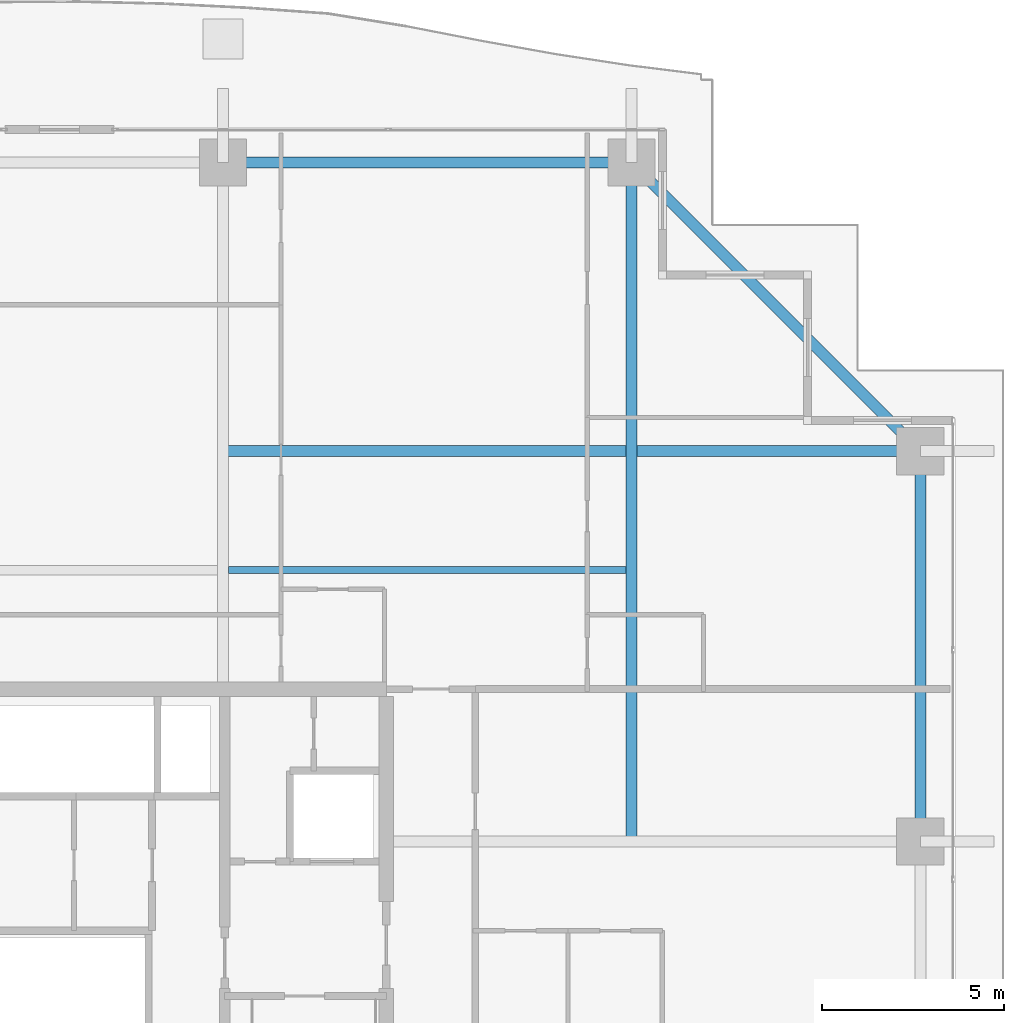
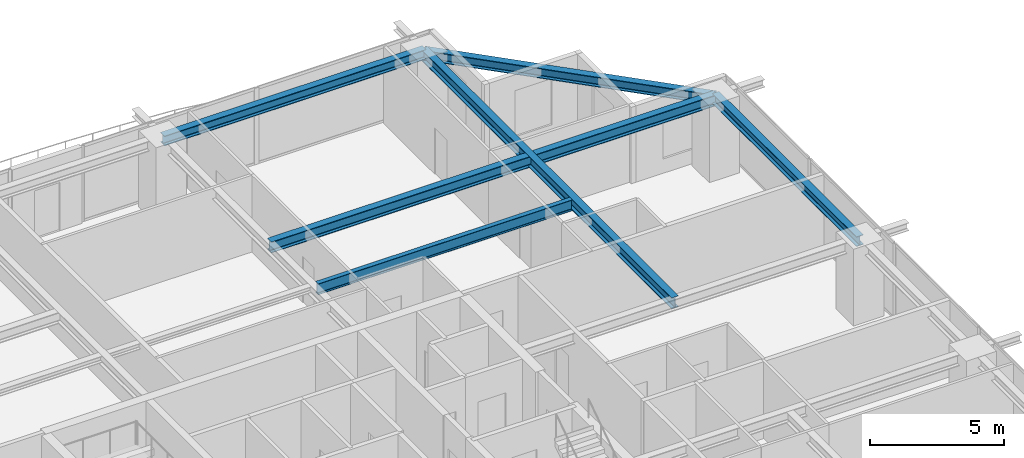
# One storey, part 23 of 37: 6 beams.
"""IFC4 building model written with IfcOpenShell, lengths in metres."""

from ifc_helpers import new_model, si_unit, direction, frame, origin, origin_2d, place, context, subcontext, project, spatial, i_section, extrude, source, transform, mapped, material, material_profile, profile_set, type_object, element, save


model = new_model("IFC4")

# Units and contexts
model_context = context("Model", 3, precision=1e-05, world=origin(), true_north=direction((0.0, 1.0)))
body_context = subcontext(model_context, "Body", "Model", "MODEL_VIEW")
ifc_project = project(units=[si_unit("LENGTHUNIT", "METRE"), si_unit("AREAUNIT", "SQUARE_METRE"), si_unit("VOLUMEUNIT", "CUBIC_METRE"), si_unit("PLANEANGLEUNIT", "RADIAN"), si_unit("MASSUNIT", "GRAM", prefix="KILO")], contexts=[model_context])

# Site, building, storey
site_placement = place(None, origin())
site = spatial("IfcSite", under=ifc_project, at=site_placement, CompositionType="ELEMENT")
building_placement = place(site_placement, origin())
building = spatial("IfcBuilding", under=site, at=building_placement, Name="Serunith Strait Residences", CompositionType="ELEMENT")
storey_placement = place(building_placement, frame((0.0, 0.0, 138.89990234375)))
storey = spatial("IfcBuildingStorey", under=building, at=storey_placement, Name="L34", CompositionType="ELEMENT", Elevation=138.89990234375)

# Beams
ifc_material = material(Name="Steel S355J2", Category="steel")
ifc_material_profile_1 = material_profile(ifc_material, i_section(OverallWidth=0.300048828125, OverallDepth=0.5, WebThickness=0.014404296875, FlangeThickness=0.028076171875, FilletRadius=0.027099609375, at=origin_2d()), Name="HEB 500")
ifc_profile_set_1 = profile_set([ifc_material_profile_1], Name="Steel S355J2")
beam_type_1 = type_object("IfcBeamType", Name="BM-HEB500", PredefinedType="BEAM", material=ifc_profile_set_1)
shared_shape_1 = source(origin(), body_context, "Body", "SweptSolid", [
    extrude(i_section(OverallWidth=0.300048828125, OverallDepth=0.5, WebThickness=0.014404296875, FlangeThickness=0.028076171875, FilletRadius=0.027099609375, at=origin_2d()), origin(), (0.0, 0.0, 1.0), 18.7001953125),
])
beam_1_placement = place(storey_placement, frame((48.14990234375, 29.39990234375, 3.237060546875), z_axis=(0.0, 1.0, 0.0), x_axis=(-1.0, 0.0, 0.0)))
element("IfcBeam", 1, at=beam_1_placement, inside=storey, type_object=beam_type_1, Name="L34 Orthogonal Corner Girder TC-N4", PredefinedType="BEAM", context=body_context, shape_type="MappedRepresentation", body=[
    mapped(shared_shape_1, transform((0.0, 0.0, 0.0), scale=1.0)),
])
shared_shape_2 = source(origin(), body_context, "Body", "SweptSolid", [
    extrude(i_section(OverallWidth=0.300048828125, OverallDepth=0.5, WebThickness=0.014404296875, FlangeThickness=0.028076171875, FilletRadius=0.027099609375, at=origin_2d()), origin(), (0.0, 0.0, 1.0), 19.2001953125),
])
beam_2_placement = place(storey_placement, frame((36.89990234375, 40.14990234375, 3.237060546875), z_axis=(1.0, 0.0, 0.0), x_axis=(0.0, 1.0, 0.0)))
element("IfcBeam", 2, at=beam_2_placement, inside=storey, type_object=beam_type_1, Name="L34 Orthogonal Corner Girder TC-E4", PredefinedType="BEAM", context=body_context, shape_type="MappedRepresentation", body=[
    mapped(shared_shape_2, transform((0.0, 0.0, 0.0), scale=1.0)),
])
ifc_material_profile_2 = material_profile(ifc_material, i_section(OverallWidth=0.300048828125, OverallDepth=0.449951171875, WebThickness=0.013916015625, FlangeThickness=0.02587890625, FilletRadius=0.027099609375, at=origin_2d()), Name="HEB 450")
ifc_profile_set_2 = profile_set([ifc_material_profile_2], Name="Steel S355J2")
beam_type_2 = type_object("IfcBeamType", Name="BM-HEB450", PredefinedType="BEAM", material=ifc_profile_set_2)
shared_shape_3 = source(origin(), body_context, "Body", "SweptSolid", [
    extrude(i_section(OverallWidth=0.300048828125, OverallDepth=0.449951171875, WebThickness=0.013916015625, FlangeThickness=0.02587890625, FilletRadius=0.027099609375, at=origin_2d()), origin(), (0.0, 0.0, 1.0), 11.25),
])
beam_3_placement = place(storey_placement, frame((48.14990234375, 48.10009765625, 3.26220703125), z_axis=(-1.0, 0.0, 0.0), x_axis=(0.0, -1.0, 0.0)))
element("IfcBeam", 3, at=beam_3_placement, inside=storey, type_object=beam_type_2, Name="L34 Perimeter Ring Beam 09", PredefinedType="BEAM", context=body_context, shape_type="MappedRepresentation", body=[
    mapped(shared_shape_3, transform((0.0, 0.0, 0.0), scale=1.0)),
])
shared_shape_4 = source(origin(), body_context, "Body", "SweptSolid", [
    extrude(i_section(OverallWidth=0.300048828125, OverallDepth=0.449951171875, WebThickness=0.013916015625, FlangeThickness=0.02587890625, FilletRadius=0.027099609375, at=origin_2d()), origin(), (0.0, 0.0, 1.0), 11.2431640625),
])
beam_4_placement = place(storey_placement, frame((56.10009765625, 40.14990234375, 3.232177734375), z_axis=(-0.707106781187, 0.707106781187, 0.0), x_axis=(-0.707106781187, -0.707106781187, 0.0)))
element("IfcBeam", 4, at=beam_4_placement, inside=storey, type_object=beam_type_2, Name="L34 Perimeter Ring Beam 08", PredefinedType="BEAM", context=body_context, shape_type="MappedRepresentation", body=[
    mapped(shared_shape_4, transform((0.0, 0.0, 0.0), scale=1.0)),
])
shared_shape_5 = source(origin(), body_context, "Body", "SweptSolid", [
    extrude(i_section(OverallWidth=0.300048828125, OverallDepth=0.449951171875, WebThickness=0.013916015625, FlangeThickness=0.02587890625, FilletRadius=0.027099609375, at=origin_2d()), origin(), (0.0, 0.0, 1.0), 10.75),
])
beam_5_placement = place(storey_placement, frame((56.10009765625, 29.39990234375, 3.26220703125), z_axis=(0.0, 1.0, 0.0), x_axis=(-1.0, 0.0, 0.0)))
element("IfcBeam", 5, at=beam_5_placement, inside=storey, type_object=beam_type_2, Name="L34 Perimeter Ring Beam 07", PredefinedType="BEAM", context=body_context, shape_type="MappedRepresentation", body=[
    mapped(shared_shape_5, transform((0.0, 0.0, 0.0), scale=1.0)),
])
ifc_material_profile_3 = material_profile(ifc_material, i_section(OverallWidth=0.199951171875, OverallDepth=0.5, WebThickness=0.01025390625, FlangeThickness=0.01611328125, FilletRadius=0.02099609375, at=origin_2d()), Name="IPE 500")
ifc_profile_set_3 = profile_set([ifc_material_profile_3], Name="Steel S355J2")
beam_type_3 = type_object("IfcBeamType", Name="BM-IPE500", PredefinedType="JOIST", material=ifc_profile_set_3)
shared_shape_6 = source(origin(), body_context, "Body", "SweptSolid", [
    extrude(i_section(OverallWidth=0.199951171875, OverallDepth=0.5, WebThickness=0.01025390625, FlangeThickness=0.01611328125, FilletRadius=0.02099609375, at=origin_2d()), origin(), (0.0, 0.0, 1.0), 10.949951171875),
])
beam_6_placement = place(storey_placement, frame((37.050048828125, 36.875, 3.237060546875), z_axis=(1.0, 0.0, 0.0), x_axis=(0.0, 1.0, 0.0)))
element("IfcBeam", 6, at=beam_6_placement, inside=storey, type_object=beam_type_3, Name="L34 Composite Floor Joist 06", PredefinedType="JOIST", context=body_context, shape_type="MappedRepresentation", body=[
    mapped(shared_shape_6, transform((0.0, 0.0, 0.0), scale=1.0)),
])

save(model, "model.ifc")
